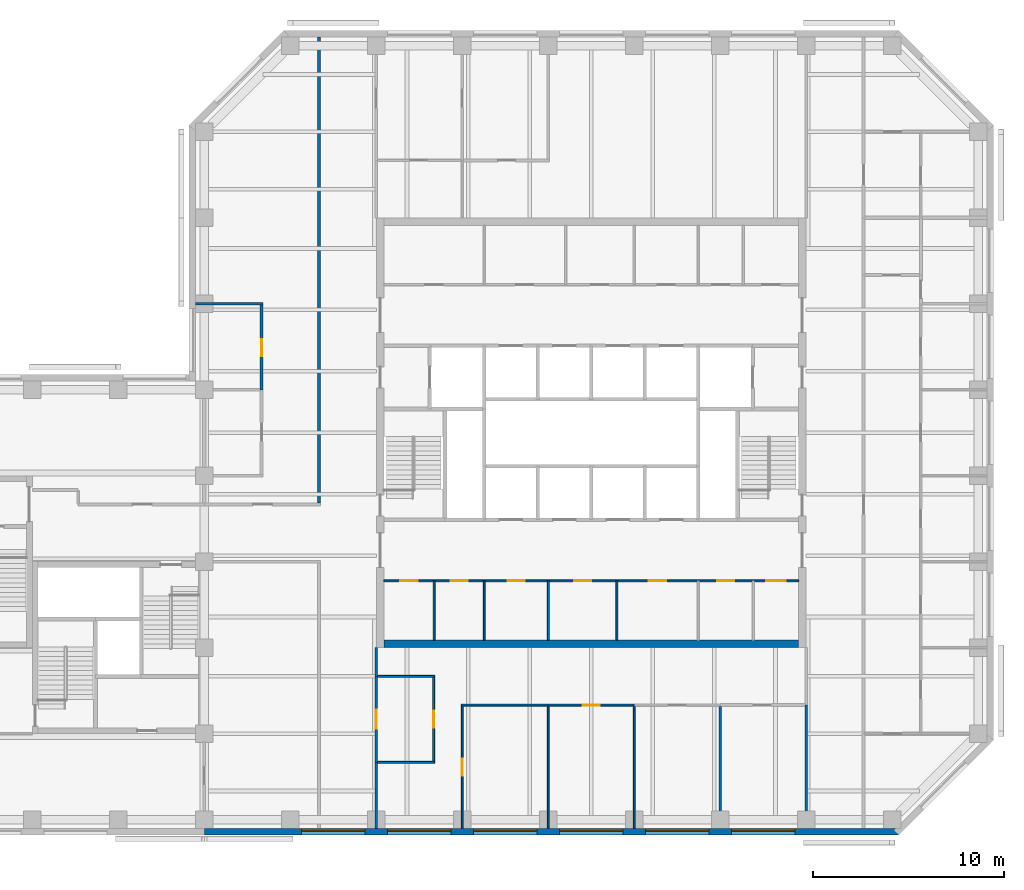
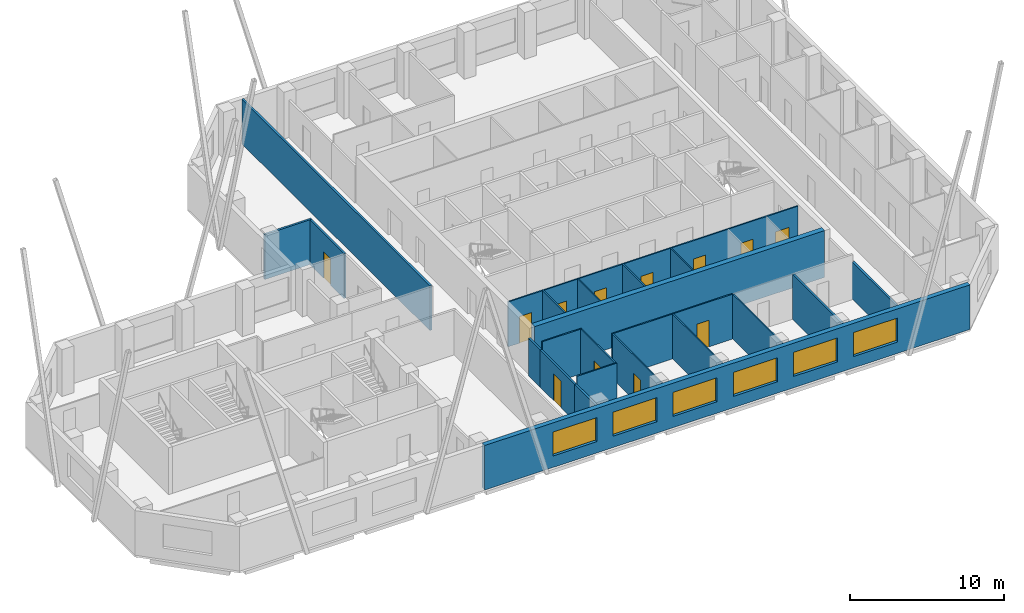
# One storey, part 4 of 9: 23 walls, 12 doors, 6 windows, 18 openings.
"""IFC4 building model written with IfcOpenShell, lengths in metres."""

from ifc_helpers import new_model, si_unit, direction, frame, frame_2d, origin, place, context, subcontext, project, spatial, rectangle, extrude, material, layer, layer_set, constituent, constituent_set, type_object, element, fill, save


model = new_model("IFC4")

# Units and contexts
model_context = context("Model", 3, precision=1e-05, world=origin(), true_north=direction((0.0, 1.0)))
body_context = subcontext(model_context, "Body", "Model", "MODEL_VIEW")
ifc_project = project(units=[si_unit("LENGTHUNIT", "METRE"), si_unit("AREAUNIT", "SQUARE_METRE"), si_unit("VOLUMEUNIT", "CUBIC_METRE"), si_unit("PLANEANGLEUNIT", "RADIAN"), si_unit("MASSUNIT", "GRAM", prefix="KILO")], contexts=[model_context])

# Site, building, storey
site_placement = place(None, origin())
site = spatial("IfcSite", under=ifc_project, at=site_placement, CompositionType="ELEMENT")
building_placement = place(site_placement, origin())
building = spatial("IfcBuilding", under=site, at=building_placement, Name="Quoin Convention Tower", CompositionType="ELEMENT")
storey_placement = place(building_placement, frame((0.0, 0.0, 203.199951171875)))
storey = spatial("IfcBuildingStorey", under=building, at=storey_placement, Name="L53", CompositionType="ELEMENT", Elevation=203.199951171875)

# Walls
ifc_material_1 = material(Name="Plasterboard")
ifc_layer_1 = layer(ifc_material_1, 0.012451171875, Name="Finish")
ifc_material_2 = material(Name="Steel stud framing", Category="steel")
ifc_layer_2 = layer(ifc_material_2, 0.125, Name="Structure")
ifc_layer_3 = layer(ifc_material_1, 0.012451171875, Name="Finish")
ifc_layer_set_1 = layer_set([ifc_layer_1, ifc_layer_2, ifc_layer_3], Name="Steel stud framing")
wall_type_1 = type_object("IfcWallType", Name="Acoustic partition 150", PredefinedType="PARTITIONING", material=ifc_layer_set_1)
wall_1_placement = place(storey_placement, frame((35.550048828125, 67.5, 0.0), z_axis=(0.0, 0.0, 1.0), x_axis=(1.0, 0.0, 0.0)))
element("IfcWall", 1, at=wall_1_placement, inside=storey, type_object=wall_type_1, Name="pw-L53-027", PredefinedType="PARTITIONING", context=body_context, shape_type="SweptSolid", body=[
    extrude(rectangle(XDim=3.52490234375, YDim=0.14990234375, at=frame_2d((1.762451171875, 0.0))), origin(), (0.0, 0.0, 1.0), 3.550048828125),
])
wall_2_placement = place(storey_placement, frame((63.0, 40.050048828125, 0.0), z_axis=(0.0, 0.0, 1.0), x_axis=(0.0, 1.0, 0.0)))
element("IfcWall", 2, at=wall_2_placement, inside=storey, type_object=wall_type_1, Name="pw-L53-043", PredefinedType="PARTITIONING", context=body_context, shape_type="SweptSolid", body=[
    extrude(rectangle(XDim=6.375, YDim=0.14990234375, at=frame_2d((3.1875, 0.0))), origin(), (0.0, 0.0, 1.0), 3.550048828125),
])

# Wall, opening, door
wall_3_placement = place(storey_placement, frame((39.0, 63.0, 0.0), z_axis=(0.0, 0.0, 1.0), x_axis=(0.0, 1.0, 0.0)))
wall_3 = element("IfcWall", 3, at=wall_3_placement, inside=storey, type_object=wall_type_1, Name="pw-L53-072", PredefinedType="PARTITIONING", context=body_context, shape_type="SweptSolid", body=[
    extrude(rectangle(XDim=4.425048828125, YDim=0.14990234375, at=frame_2d((2.21240234375, 0.0))), origin(), (0.0, 0.0, 1.0), 3.550048828125),
])
opening_1_placement = place(wall_3_placement, frame((1.75, 0.0, 0.0)))
opening_1 = element("IfcOpeningElement", 4, at=opening_1_placement, cuts=wall_3, Name="Opening DOH8-21", PredefinedType="OPENING", context=body_context, shape_type="SweptSolid", body=[
    extrude(rectangle(XDim=0.89990234375, YDim=2.10009765625, at=frame_2d((0.449951171875, 1.050048828125))), frame((0.0, 0.0849609375, 0.0), z_axis=(0.0, -1.0, 0.0), x_axis=(1.0, 0.0, 0.0)), (0.0, 0.0, 1.0), 0.169921875),
])
ifc_material_3 = material(Name="Steel door leaf", Category="steel")
door_type_1 = type_object("IfcDoorType", Name="Office door 900 x 2100", OperationType="SINGLE_SWING_RIGHT", PredefinedType="DOOR", material=ifc_material_3)
door_1_placement = place(opening_1_placement, frame((0.89990234375, 0.0, 0.0), z_axis=(0.0, 0.0, 1.0), x_axis=(-1.0, 0.0, 0.0)))
door_1 = element("IfcDoor", 5, at=door_1_placement, inside=storey, type_object=door_type_1, Name="dr-L53-13", OperationType="SINGLE_SWING_LEFT", OverallHeight=2.10009765625, OverallWidth=0.89990234375, PredefinedType="DOOR", context=body_context, shape_type="SweptSolid", body=[
    extrude(rectangle(XDim=0.89990234375, YDim=2.10009765625, at=frame_2d((0.449951171875, 1.050048828125))), frame((0.0, 0.02490234375, 0.0), z_axis=(0.0, -1.0, 0.0), x_axis=(1.0, 0.0, 0.0)), (0.0, 0.0, 1.0), 0.050048828125),
])
fill(opening_1, door_1)

# Wall, openings, windows
ifc_material_4 = material(Name="Brick masonry", Category="masonry")
ifc_layer_4 = layer(ifc_material_4, 0.35009765625)
ifc_layer_set_2 = layer_set([ifc_layer_4], Name="Brick masonry")
wall_type_2 = type_object("IfcWallType", Name="Brick facade wall", PredefinedType="STANDARD", material=ifc_layer_set_2)
wall_4_placement = place(storey_placement, frame((36.0, 39.875, 0.0), z_axis=(0.0, 0.0, 1.0), x_axis=(1.0, 0.0, 0.0)))
wall_4 = element("IfcWall", 6, at=wall_4_placement, inside=storey, type_object=wall_type_2, Name="fw-L53-36000_40500", PredefinedType="STANDARD", context=body_context, shape_type="SweptSolid", body=[
    extrude(rectangle(XDim=36.331298828125, YDim=0.35009765625, at=frame_2d((18.16552734375, 0.0))), origin(), (0.0, 0.0, 1.0), 3.525146484375),
])
opening_2_placement = place(wall_4_placement, frame((5.10009765625, 0.0, 0.89990234375)))
opening_2 = element("IfcOpeningElement", 7, at=opening_2_placement, cuts=wall_4, Name="Opening W-02", PredefinedType="OPENING", context=body_context, shape_type="SweptSolid", body=[
    extrude(rectangle(XDim=3.300048828125, YDim=1.89990234375, at=frame_2d((1.64990234375, 0.949951171875))), frame((0.0, 0.18505859375, 0.0), z_axis=(0.0, -1.0, 0.0), x_axis=(1.0, 0.0, 0.0)), (0.0, 0.0, 1.0), 0.3701171875),
])
opening_3_placement = place(wall_4_placement, frame((9.60009765625, 0.0, 0.89990234375)))
opening_3 = element("IfcOpeningElement", 8, at=opening_3_placement, cuts=wall_4, Name="Opening W-02", PredefinedType="OPENING", context=body_context, shape_type="SweptSolid", body=[
    extrude(rectangle(XDim=3.300048828125, YDim=1.89990234375, at=frame_2d((1.64990234375, 0.949951171875))), frame((0.0, 0.18505859375, 0.0), z_axis=(0.0, -1.0, 0.0), x_axis=(1.0, 0.0, 0.0)), (0.0, 0.0, 1.0), 0.3701171875),
])
opening_4_placement = place(wall_4_placement, frame((14.10009765625, 0.0, 0.89990234375)))
opening_4 = element("IfcOpeningElement", 9, at=opening_4_placement, cuts=wall_4, Name="Opening W-02", PredefinedType="OPENING", context=body_context, shape_type="SweptSolid", body=[
    extrude(rectangle(XDim=3.300048828125, YDim=1.89990234375, at=frame_2d((1.64990234375, 0.949951171875))), frame((0.0, 0.18505859375, 0.0), z_axis=(0.0, -1.0, 0.0), x_axis=(1.0, 0.0, 0.0)), (0.0, 0.0, 1.0), 0.3701171875),
])
opening_5_placement = place(wall_4_placement, frame((18.60009765625, 0.0, 0.89990234375)))
opening_5 = element("IfcOpeningElement", 10, at=opening_5_placement, cuts=wall_4, Name="Opening W-02", PredefinedType="OPENING", context=body_context, shape_type="SweptSolid", body=[
    extrude(rectangle(XDim=3.300048828125, YDim=1.89990234375, at=frame_2d((1.64990234375, 0.949951171875))), frame((0.0, 0.18505859375, 0.0), z_axis=(0.0, -1.0, 0.0), x_axis=(1.0, 0.0, 0.0)), (0.0, 0.0, 1.0), 0.3701171875),
])
opening_6_placement = place(wall_4_placement, frame((23.10009765625, 0.0, 0.89990234375)))
opening_6 = element("IfcOpeningElement", 11, at=opening_6_placement, cuts=wall_4, Name="Opening W-02", PredefinedType="OPENING", context=body_context, shape_type="SweptSolid", body=[
    extrude(rectangle(XDim=3.300048828125, YDim=1.89990234375, at=frame_2d((1.64990234375, 0.949951171875))), frame((0.0, 0.18505859375, 0.0), z_axis=(0.0, -1.0, 0.0), x_axis=(1.0, 0.0, 0.0)), (0.0, 0.0, 1.0), 0.3701171875),
])
opening_7_placement = place(wall_4_placement, frame((27.60009765625, 0.0, 0.89990234375)))
opening_7 = element("IfcOpeningElement", 12, at=opening_7_placement, cuts=wall_4, Name="Opening W-02", PredefinedType="OPENING", context=body_context, shape_type="SweptSolid", body=[
    extrude(rectangle(XDim=3.300048828125, YDim=1.89990234375, at=frame_2d((1.64990234375, 0.949951171875))), frame((0.0, 0.18505859375, 0.0), z_axis=(0.0, -1.0, 0.0), x_axis=(1.0, 0.0, 0.0)), (0.0, 0.0, 1.0), 0.3701171875),
])
ifc_material_5 = material(Name="Aluminium", Category="aluminium")
ifc_constituent_1 = constituent(ifc_material_5, Name="Frame")
ifc_material_6 = material(Name="Insulated glass", Category="glass")
ifc_constituent_2 = constituent(ifc_material_6, Name="Glazing")
ifc_constituent_set = constituent_set(constituents=[ifc_constituent_1, ifc_constituent_2], Name="Aluminium")
window_type = type_object("IfcWindowType", Name="Office window", PartitioningType="DOUBLE_PANEL_VERTICAL", PredefinedType="WINDOW", material=ifc_constituent_set)
window_1_placement = place(opening_2_placement, origin())
window_1 = element("IfcWindow", 13, at=window_1_placement, inside=storey, type_object=window_type, Name="win-L53-42750_39875", OverallHeight=1.89990234375, OverallWidth=3.300048828125, PartitioningType="SINGLE_PANEL", PredefinedType="WINDOW", context=body_context, shape_type="SweptSolid", body=[
    extrude(rectangle(XDim=3.300048828125, YDim=1.89990234375, at=frame_2d((1.64990234375, 0.949951171875))), frame((0.0, 0.0849609375, 0.0), z_axis=(0.0, -1.0, 0.0), x_axis=(1.0, 0.0, 0.0)), (0.0, 0.0, 1.0), 0.06005859375),
])
fill(opening_2, window_1)
window_2_placement = place(opening_3_placement, origin())
window_2 = element("IfcWindow", 14, at=window_2_placement, inside=storey, type_object=window_type, Name="win-L53-47250_39875", OverallHeight=1.89990234375, OverallWidth=3.300048828125, PartitioningType="SINGLE_PANEL", PredefinedType="WINDOW", context=body_context, shape_type="SweptSolid", body=[
    extrude(rectangle(XDim=3.300048828125, YDim=1.89990234375, at=frame_2d((1.64990234375, 0.949951171875))), frame((0.0, 0.0849609375, 0.0), z_axis=(0.0, -1.0, 0.0), x_axis=(1.0, 0.0, 0.0)), (0.0, 0.0, 1.0), 0.06005859375),
])
fill(opening_3, window_2)
window_3_placement = place(opening_4_placement, origin())
window_3 = element("IfcWindow", 15, at=window_3_placement, inside=storey, type_object=window_type, Name="win-L53-51750_39875", OverallHeight=1.89990234375, OverallWidth=3.300048828125, PartitioningType="SINGLE_PANEL", PredefinedType="WINDOW", context=body_context, shape_type="SweptSolid", body=[
    extrude(rectangle(XDim=3.300048828125, YDim=1.89990234375, at=frame_2d((1.64990234375, 0.949951171875))), frame((0.0, 0.0849609375, 0.0), z_axis=(0.0, -1.0, 0.0), x_axis=(1.0, 0.0, 0.0)), (0.0, 0.0, 1.0), 0.06005859375),
])
fill(opening_4, window_3)
window_4_placement = place(opening_5_placement, origin())
window_4 = element("IfcWindow", 16, at=window_4_placement, inside=storey, type_object=window_type, Name="win-L53-56250_39875", OverallHeight=1.89990234375, OverallWidth=3.300048828125, PartitioningType="SINGLE_PANEL", PredefinedType="WINDOW", context=body_context, shape_type="SweptSolid", body=[
    extrude(rectangle(XDim=3.300048828125, YDim=1.89990234375, at=frame_2d((1.64990234375, 0.949951171875))), frame((0.0, 0.0849609375, 0.0), z_axis=(0.0, -1.0, 0.0), x_axis=(1.0, 0.0, 0.0)), (0.0, 0.0, 1.0), 0.06005859375),
])
fill(opening_5, window_4)
window_5_placement = place(opening_6_placement, origin())
window_5 = element("IfcWindow", 17, at=window_5_placement, inside=storey, type_object=window_type, Name="win-L53-60750_39875", OverallHeight=1.89990234375, OverallWidth=3.300048828125, PartitioningType="SINGLE_PANEL", PredefinedType="WINDOW", context=body_context, shape_type="SweptSolid", body=[
    extrude(rectangle(XDim=3.300048828125, YDim=1.89990234375, at=frame_2d((1.64990234375, 0.949951171875))), frame((0.0, 0.0849609375, 0.0), z_axis=(0.0, -1.0, 0.0), x_axis=(1.0, 0.0, 0.0)), (0.0, 0.0, 1.0), 0.06005859375),
])
fill(opening_6, window_5)
window_6_placement = place(opening_7_placement, origin())
window_6 = element("IfcWindow", 18, at=window_6_placement, inside=storey, type_object=window_type, Name="win-L53-65250_39875", OverallHeight=1.89990234375, OverallWidth=3.300048828125, PartitioningType="SINGLE_PANEL", PredefinedType="WINDOW", context=body_context, shape_type="SweptSolid", body=[
    extrude(rectangle(XDim=3.300048828125, YDim=1.89990234375, at=frame_2d((1.64990234375, 0.949951171875))), frame((0.0, 0.0849609375, 0.0), z_axis=(0.0, -1.0, 0.0), x_axis=(1.0, 0.0, 0.0)), (0.0, 0.0, 1.0), 0.06005859375),
])
fill(opening_7, window_6)

# Wall, openings, doors
ifc_layer_5 = layer(ifc_material_1, 0.012451171875, Name="Finish")
ifc_layer_6 = layer(ifc_material_2, 0.074951171875, Name="Structure")
ifc_layer_7 = layer(ifc_material_1, 0.012451171875, Name="Finish")
ifc_layer_set_3 = layer_set([ifc_layer_5, ifc_layer_6, ifc_layer_7], Name="Steel stud framing")
wall_type_3 = type_object("IfcWallType", Name="Core partition wall", PredefinedType="PARTITIONING", material=ifc_layer_set_3)
wall_5_placement = place(storey_placement, frame((45.39990234375, 53.0, 0.0), z_axis=(0.0, 0.0, 1.0), x_axis=(1.0, 0.0, 0.0)))
wall_5 = element("IfcWall", 19, at=wall_5_placement, inside=storey, type_object=wall_type_3, Name="cr-C1-L53-h3500_400", PredefinedType="PARTITIONING", context=body_context, shape_type="SweptSolid", body=[
    extrude(rectangle(XDim=21.7001953125, YDim=0.10009765625, at=frame_2d((10.85009765625, 0.0))), origin(), (0.0, 0.0, 1.0), 3.550048828125),
])
opening_8_placement = place(wall_5_placement, frame((20.018798828125, 0.0, 0.0)))
opening_8 = element("IfcOpeningElement", 20, at=opening_8_placement, cuts=wall_5, Name="Opening DCV0-46", PredefinedType="OPENING", context=body_context, shape_type="SweptSolid", body=[
    extrude(rectangle(XDim=1.0, YDim=2.10009765625, at=frame_2d((0.5, 1.050048828125))), frame((0.0, 0.06005859375, 0.0), z_axis=(0.0, -1.0, 0.0), x_axis=(1.0, 0.0, 0.0)), (0.0, 0.0, 1.0), 0.1201171875),
])
opening_9_placement = place(wall_5_placement, frame((17.44384765625, 0.0, 0.0)))
opening_9 = element("IfcOpeningElement", 21, at=opening_9_placement, cuts=wall_5, Name="Opening DCV0-45", PredefinedType="OPENING", context=body_context, shape_type="SweptSolid", body=[
    extrude(rectangle(XDim=0.89990234375, YDim=2.10009765625, at=frame_2d((0.449951171875, 1.050048828125))), frame((0.0, 0.06005859375, 0.0), z_axis=(0.0, -1.0, 0.0), x_axis=(1.0, 0.0, 0.0)), (0.0, 0.0, 1.0), 0.1201171875),
])
opening_10_placement = place(wall_5_placement, frame((0.862548828125, 0.0, 0.0)))
opening_10 = element("IfcOpeningElement", 22, at=opening_10_placement, cuts=wall_5, Name="Opening DCV0-38", PredefinedType="OPENING", context=body_context, shape_type="SweptSolid", body=[
    extrude(rectangle(XDim=0.89990234375, YDim=2.10009765625, at=frame_2d((0.449951171875, 1.050048828125))), frame((0.0, 0.06005859375, 0.0), z_axis=(0.0, -1.0, 0.0), x_axis=(1.0, 0.0, 0.0)), (0.0, 0.0, 1.0), 0.1201171875),
])
opening_11_placement = place(wall_5_placement, frame((3.487548828125, 0.0, 0.0)))
opening_11 = element("IfcOpeningElement", 23, at=opening_11_placement, cuts=wall_5, Name="Opening DCV0-39", PredefinedType="OPENING", context=body_context, shape_type="SweptSolid", body=[
    extrude(rectangle(XDim=0.89990234375, YDim=2.10009765625, at=frame_2d((0.449951171875, 1.050048828125))), frame((0.0, 0.06005859375, 0.0), z_axis=(0.0, -1.0, 0.0), x_axis=(1.0, 0.0, 0.0)), (0.0, 0.0, 1.0), 0.1201171875),
])
opening_12_placement = place(wall_5_placement, frame((6.47998046875, 0.0, 0.0)))
opening_12 = element("IfcOpeningElement", 24, at=opening_12_placement, cuts=wall_5, Name="Opening DCV0-40", PredefinedType="OPENING", context=body_context, shape_type="SweptSolid", body=[
    extrude(rectangle(XDim=0.89990234375, YDim=2.10009765625, at=frame_2d((0.449951171875, 1.050048828125))), frame((0.0, 0.06005859375, 0.0), z_axis=(0.0, -1.0, 0.0), x_axis=(1.0, 0.0, 0.0)), (0.0, 0.0, 1.0), 0.1201171875),
])
opening_13_placement = place(wall_5_placement, frame((9.951904296875, 0.0, 0.0)))
opening_13 = element("IfcOpeningElement", 25, at=opening_13_placement, cuts=wall_5, Name="Opening DCV0-42", PredefinedType="OPENING", context=body_context, shape_type="SweptSolid", body=[
    extrude(rectangle(XDim=0.89990234375, YDim=2.10009765625, at=frame_2d((0.449951171875, 1.050048828125))), frame((0.0, 0.06005859375, 0.0), z_axis=(0.0, -1.0, 0.0), x_axis=(1.0, 0.0, 0.0)), (0.0, 0.0, 1.0), 0.1201171875),
])
opening_14_placement = place(wall_5_placement, frame((13.8720703125, 0.0, 0.0)))
opening_14 = element("IfcOpeningElement", 26, at=opening_14_placement, cuts=wall_5, Name="Opening DCV0-44", PredefinedType="OPENING", context=body_context, shape_type="SweptSolid", body=[
    extrude(rectangle(XDim=0.89990234375, YDim=2.10009765625, at=frame_2d((0.449951171875, 1.050048828125))), frame((0.0, 0.06005859375, 0.0), z_axis=(0.0, -1.0, 0.0), x_axis=(1.0, 0.0, 0.0)), (0.0, 0.0, 1.0), 0.1201171875),
])
door_type_2 = type_object("IfcDoorType", Name="Core room door 1000 x 2100", OperationType="SINGLE_SWING_LEFT", PredefinedType="DOOR", material=ifc_material_3)
door_2_placement = place(opening_8_placement, frame((1.0, 0.0, 0.0), z_axis=(0.0, 0.0, 1.0), x_axis=(-1.0, 0.0, 0.0)))
door_2 = element("IfcDoor", 27, at=door_2_placement, inside=storey, type_object=door_type_2, Name="cd-C1-L53-CSE0-lobA-CD5310", OperationType="SINGLE_SWING_LEFT", OverallHeight=2.10009765625, OverallWidth=1.0, PredefinedType="DOOR", context=body_context, shape_type="SweptSolid", body=[
    extrude(rectangle(XDim=1.0, YDim=2.10009765625, at=frame_2d((0.5, 1.050048828125))), frame((0.0, 0.02490234375, 0.0), z_axis=(0.0, -1.0, 0.0), x_axis=(1.0, 0.0, 0.0)), (0.0, 0.0, 1.0), 0.050048828125),
])
fill(opening_8, door_2)
door_type_3 = type_object("IfcDoorType", Name="Core room door 900 x 2100", OperationType="SINGLE_SWING_LEFT", PredefinedType="DOOR", material=ifc_material_3)
door_3_placement = place(opening_9_placement, frame((0.89990234375, 0.0, 0.0), z_axis=(0.0, 0.0, 1.0), x_axis=(-1.0, 0.0, 0.0)))
door_3 = element("IfcDoor", 28, at=door_3_placement, inside=storey, type_object=door_type_3, Name="cd-C1-L53-CSE1-lobA-CD5311", OperationType="SINGLE_SWING_LEFT", OverallHeight=2.10009765625, OverallWidth=0.89990234375, PredefinedType="DOOR", context=body_context, shape_type="SweptSolid", body=[
    extrude(rectangle(XDim=0.89990234375, YDim=2.10009765625, at=frame_2d((0.449951171875, 1.050048828125))), frame((0.0, 0.02490234375, 0.0), z_axis=(0.0, -1.0, 0.0), x_axis=(1.0, 0.0, 0.0)), (0.0, 0.0, 1.0), 0.050048828125),
])
fill(opening_9, door_3)
door_4_placement = place(opening_10_placement, frame((0.89990234375, 0.0, 0.0), z_axis=(0.0, 0.0, 1.0), x_axis=(-1.0, 0.0, 0.0)))
door_4 = element("IfcDoor", 29, at=door_4_placement, inside=storey, type_object=door_type_3, Name="cd-C1-L53-CSW0-lobA-CD5312", OperationType="SINGLE_SWING_LEFT", OverallHeight=2.10009765625, OverallWidth=0.89990234375, PredefinedType="DOOR", context=body_context, shape_type="SweptSolid", body=[
    extrude(rectangle(XDim=0.89990234375, YDim=2.10009765625, at=frame_2d((0.449951171875, 1.050048828125))), frame((0.0, 0.02490234375, 0.0), z_axis=(0.0, -1.0, 0.0), x_axis=(1.0, 0.0, 0.0)), (0.0, 0.0, 1.0), 0.050048828125),
])
fill(opening_10, door_4)
door_5_placement = place(opening_11_placement, frame((0.89990234375, 0.0, 0.0), z_axis=(0.0, 0.0, 1.0), x_axis=(-1.0, 0.0, 0.0)))
door_5 = element("IfcDoor", 30, at=door_5_placement, inside=storey, type_object=door_type_3, Name="cd-C1-L53-CSW1-lobA-CD5313", OperationType="SINGLE_SWING_LEFT", OverallHeight=2.10009765625, OverallWidth=0.89990234375, PredefinedType="DOOR", context=body_context, shape_type="SweptSolid", body=[
    extrude(rectangle(XDim=0.89990234375, YDim=2.10009765625, at=frame_2d((0.449951171875, 1.050048828125))), frame((0.0, 0.02490234375, 0.0), z_axis=(0.0, -1.0, 0.0), x_axis=(1.0, 0.0, 0.0)), (0.0, 0.0, 1.0), 0.050048828125),
])
fill(opening_11, door_5)
door_6_placement = place(opening_12_placement, frame((0.89990234375, 0.0, 0.0), z_axis=(0.0, 0.0, 1.0), x_axis=(-1.0, 0.0, 0.0)))
door_6 = element("IfcDoor", 31, at=door_6_placement, inside=storey, type_object=door_type_3, Name="cd-C1-L53-F10-lobA-CD5314", OperationType="SINGLE_SWING_LEFT", OverallHeight=2.10009765625, OverallWidth=0.89990234375, PredefinedType="DOOR", context=body_context, shape_type="SweptSolid", body=[
    extrude(rectangle(XDim=0.89990234375, YDim=2.10009765625, at=frame_2d((0.449951171875, 1.050048828125))), frame((0.0, 0.02490234375, 0.0), z_axis=(0.0, -1.0, 0.0), x_axis=(1.0, 0.0, 0.0)), (0.0, 0.0, 1.0), 0.050048828125),
])
fill(opening_12, door_6)
door_7_placement = place(opening_13_placement, frame((0.89990234375, 0.0, 0.0), z_axis=(0.0, 0.0, 1.0), x_axis=(-1.0, 0.0, 0.0)))
door_7 = element("IfcDoor", 32, at=door_7_placement, inside=storey, type_object=door_type_3, Name="cd-C1-L53-F11-lobA-CD5315", OperationType="SINGLE_SWING_LEFT", OverallHeight=2.10009765625, OverallWidth=0.89990234375, PredefinedType="DOOR", context=body_context, shape_type="SweptSolid", body=[
    extrude(rectangle(XDim=0.89990234375, YDim=2.10009765625, at=frame_2d((0.449951171875, 1.050048828125))), frame((0.0, 0.02490234375, 0.0), z_axis=(0.0, -1.0, 0.0), x_axis=(1.0, 0.0, 0.0)), (0.0, 0.0, 1.0), 0.050048828125),
])
fill(opening_13, door_7)
door_8_placement = place(opening_14_placement, frame((0.89990234375, 0.0, 0.0), z_axis=(0.0, 0.0, 1.0), x_axis=(-1.0, 0.0, 0.0)))
door_8 = element("IfcDoor", 33, at=door_8_placement, inside=storey, type_object=door_type_3, Name="cd-C1-L53-F12-lobA-CD5316", OperationType="SINGLE_SWING_LEFT", OverallHeight=2.10009765625, OverallWidth=0.89990234375, PredefinedType="DOOR", context=body_context, shape_type="SweptSolid", body=[
    extrude(rectangle(XDim=0.89990234375, YDim=2.10009765625, at=frame_2d((0.449951171875, 1.050048828125))), frame((0.0, 0.02490234375, 0.0), z_axis=(0.0, -1.0, 0.0), x_axis=(1.0, 0.0, 0.0)), (0.0, 0.0, 1.0), 0.050048828125),
])
fill(opening_14, door_8)

# Walls
for number, where, z_axis, x_axis, name in (
    (34, (48.02490234375, 49.89990234375, 0.0), (0.0, 0.0, 1.0), (0.0, 1.0, 0.0), "cr-C1-L53-v3025_400"),
    (35, (50.64990234375, 49.89990234375, 0.0), (0.0, 0.0, 1.0), (0.0, 1.0, 0.0), "cr-C1-L53-v5650_400"),
    (36, (54.010009765625, 49.89990234375, 0.0), (0.0, 0.0, 1.0), (0.0, 1.0, 0.0), "cr-C1-L53-v9010_400"),
    (37, (57.593994140625, 49.89990234375, 0.0), (0.0, 0.0, 1.0), (0.0, 1.0, 0.0), "cr-C1-L53-v12594_400"),
):
    element("IfcWall", number, at=place(storey_placement, frame(where, z_axis=z_axis, x_axis=x_axis)), inside=storey, type_object=wall_type_3, Name=name, PredefinedType="PARTITIONING", context=body_context, shape_type="SweptSolid", body=[
        extrude(rectangle(XDim=3.10009765625, YDim=0.10009765625, at=frame_2d((1.550048828125, 0.0))), origin(), (0.0, 0.0, 1.0), 3.550048828125),
    ])
ifc_layer_8 = layer(ifc_material_1, 0.012451171875, Name="Finish")
ifc_layer_9 = layer(ifc_material_2, 0.125, Name="Structure")
ifc_layer_10 = layer(ifc_material_1, 0.012451171875, Name="Finish")
ifc_layer_set_4 = layer_set([ifc_layer_8, ifc_layer_9, ifc_layer_10], Name="Steel stud framing")
wall_type_4 = type_object("IfcWallType", Name="Corridor wall 150", PredefinedType="PARTITIONING", material=ifc_layer_set_4)
wall_6_placement = place(storey_placement, frame((42.0, 57.074951171875, 0.0), z_axis=(0.0, 0.0, 1.0), x_axis=(0.0, 1.0, 0.0)))
element("IfcWall", 38, at=wall_6_placement, inside=storey, type_object=wall_type_4, Name="pw-L53-064", PredefinedType="PARTITIONING", context=body_context, shape_type="SweptSolid", body=[
    extrude(rectangle(XDim=24.375, YDim=0.14990234375, at=frame_2d((12.1875, 0.0))), origin(), (0.0, 0.0, 1.0), 3.550048828125),
])
ifc_layer_11 = layer(ifc_material_1, 0.012451171875, Name="Finish")
ifc_layer_12 = layer(ifc_material_2, 0.125, Name="Structure")
ifc_layer_13 = layer(ifc_material_1, 0.012451171875, Name="Finish")
ifc_layer_set_5 = layer_set([ifc_layer_11, ifc_layer_12, ifc_layer_13], Name="Steel stud framing")
wall_type_5 = type_object("IfcWallType", Name="Corridor wall 150 under beam 612", PredefinedType="PARTITIONING", material=ifc_layer_set_5)
wall_7_placement = place(storey_placement, frame((45.0, 40.050048828125, 0.0), z_axis=(0.0, 0.0, 1.0), x_axis=(0.0, 1.0, 0.0)))
element("IfcWall", 39, at=wall_7_placement, inside=storey, type_object=wall_type_5, Name="pw-L53-039", PredefinedType="PARTITIONING", context=body_context, shape_type="SweptSolid", body=[
    extrude(rectangle(XDim=3.449951171875, YDim=0.14990234375, at=frame_2d((1.72509765625, 0.0))), origin(), (0.0, 0.0, 1.0), 2.93798828125),
])
wall_8_placement = place(storey_placement, frame((67.5, 40.050048828125, 0.0), z_axis=(0.0, 0.0, 1.0), x_axis=(0.0, 1.0, 0.0)))
element("IfcWall", 40, at=wall_8_placement, inside=storey, type_object=wall_type_5, Name="pw-L53-044", PredefinedType="PARTITIONING", context=body_context, shape_type="SweptSolid", body=[
    extrude(rectangle(XDim=6.449951171875, YDim=0.14990234375, at=frame_2d((3.22509765625, 0.0))), origin(), (0.0, 0.0, 1.0), 2.93798828125),
])

# Wall, opening, door
wall_9_placement = place(storey_placement, frame((45.0, 43.5, 0.0), z_axis=(0.0, 0.0, 1.0), x_axis=(0.0, 1.0, 0.0)))
wall_9 = element("IfcWall", 41, at=wall_9_placement, inside=storey, type_object=wall_type_5, Name="pw-L53-048", PredefinedType="PARTITIONING", context=body_context, shape_type="SweptSolid", body=[
    extrude(rectangle(XDim=4.5, YDim=0.14990234375, at=frame_2d((2.25, 0.0))), origin(), (0.0, 0.0, 1.0), 2.93798828125),
])
opening_15_placement = place(wall_9_placement, frame((1.75, 0.0, 0.0)))
opening_15 = element("IfcOpeningElement", 42, at=opening_15_placement, cuts=wall_9, Name="Opening DOH8-13", PredefinedType="OPENING", context=body_context, shape_type="SweptSolid", body=[
    extrude(rectangle(XDim=1.0, YDim=2.10009765625, at=frame_2d((0.5, 1.050048828125))), frame((0.0, 0.0849609375, 0.0), z_axis=(0.0, -1.0, 0.0), x_axis=(1.0, 0.0, 0.0)), (0.0, 0.0, 1.0), 0.169921875),
])
door_type_4 = type_object("IfcDoorType", Name="Tenancy entrance door 1000 x 2100", OperationType="DOUBLE_DOOR_SINGLE_SWING", PredefinedType="DOOR", material=ifc_material_3)
door_9_placement = place(opening_15_placement, origin())
door_9 = element("IfcDoor", 43, at=door_9_placement, inside=storey, type_object=door_type_4, Name="dr-L53-18", OperationType="DOUBLE_DOOR_SINGLE_SWING", OverallHeight=2.10009765625, OverallWidth=1.0, PredefinedType="DOOR", context=body_context, shape_type="SweptSolid", body=[
    extrude(rectangle(XDim=1.0, YDim=2.10009765625, at=frame_2d((0.5, 1.050048828125))), frame((0.0, 0.02490234375, 0.0), z_axis=(0.0, -1.0, 0.0), x_axis=(1.0, 0.0, 0.0)), (0.0, 0.0, 1.0), 0.050048828125),
])
fill(opening_15, door_9)

# Walls
wall_10_placement = place(storey_placement, frame((45.0, 48.0, 0.0), z_axis=(0.0, 0.0, 1.0), x_axis=(0.0, 1.0, 0.0)))
element("IfcWall", 44, at=wall_10_placement, inside=storey, type_object=wall_type_5, Name="pw-L53-057", PredefinedType="PARTITIONING", context=body_context, shape_type="SweptSolid", body=[
    extrude(rectangle(XDim=1.5, YDim=0.14990234375, at=frame_2d((0.75, 0.0))), origin(), (0.0, 0.0, 1.0), 2.93798828125),
])
ifc_material_7 = material(Name="Concrete C50", Category="concrete")
ifc_layer_14 = layer(ifc_material_7, 0.39990234375)
ifc_layer_set_6 = layer_set([ifc_layer_14], Name="Concrete C50")
wall_type_6 = type_object("IfcWallType", Name="RC CORE WALL 400 C50", PredefinedType="SHEAR", material=ifc_layer_set_6)
wall_11_placement = place(storey_placement, frame((45.39990234375, 49.699951171875, 0.0), z_axis=(0.0, 0.0, 1.0), x_axis=(1.0, 0.0, 0.0)))
element("IfcWall", 45, at=wall_11_placement, inside=storey, type_object=wall_type_6, Name="cwl-C1-L53-S", PredefinedType="SHEAR", context=body_context, shape_type="SweptSolid", body=[
    extrude(rectangle(XDim=21.7001953125, YDim=0.39990234375, at=frame_2d((10.85009765625, 0.0))), origin(), (0.0, 0.0, 1.0), 3.699951171875),
])
ifc_layer_15 = layer(ifc_material_1, 0.012451171875, Name="Finish")
ifc_layer_16 = layer(ifc_material_2, 0.074951171875, Name="Structure")
ifc_layer_17 = layer(ifc_material_1, 0.012451171875, Name="Finish")
ifc_layer_set_7 = layer_set([ifc_layer_15, ifc_layer_16, ifc_layer_17], Name="Steel stud framing")
wall_type_7 = type_object("IfcWallType", Name="Stud partition 100", PredefinedType="PARTITIONING", material=ifc_layer_set_7)
wall_12_placement = place(storey_placement, frame((45.074951171875, 43.5, 0.0), z_axis=(0.0, 0.0, 1.0), x_axis=(1.0, 0.0, 0.0)))
element("IfcWall", 46, at=wall_12_placement, inside=storey, type_object=wall_type_7, Name="pw-L53-002", PredefinedType="PARTITIONING", context=body_context, shape_type="SweptSolid", body=[
    extrude(rectangle(XDim=2.97509765625, YDim=0.10009765625, at=frame_2d((1.487548828125, 0.0))), origin(), (0.0, 0.0, 1.0), 3.550048828125),
])
wall_13_placement = place(storey_placement, frame((49.449951171875, 46.5, 0.0), z_axis=(0.0, 0.0, 1.0), x_axis=(1.0, 0.0, 0.0)))
element("IfcWall", 47, at=wall_13_placement, inside=storey, type_object=wall_type_7, Name="pw-L53-008", PredefinedType="PARTITIONING", context=body_context, shape_type="SweptSolid", body=[
    extrude(rectangle(XDim=4.550048828125, YDim=0.10009765625, at=frame_2d((2.27490234375, 0.0))), origin(), (0.0, 0.0, 1.0), 3.550048828125),
])

# Wall, opening, door
wall_14_placement = place(storey_placement, frame((54.0, 46.5, 0.0), z_axis=(0.0, 0.0, 1.0), x_axis=(1.0, 0.0, 0.0)))
wall_14 = element("IfcWall", 48, at=wall_14_placement, inside=storey, type_object=wall_type_7, Name="pw-L53-009", PredefinedType="PARTITIONING", context=body_context, shape_type="SweptSolid", body=[
    extrude(rectangle(XDim=4.5, YDim=0.10009765625, at=frame_2d((2.25, 0.0))), origin(), (0.0, 0.0, 1.0), 3.550048828125),
])
opening_16_placement = place(wall_14_placement, frame((1.800048828125, 0.0, 0.0)))
opening_16 = element("IfcOpeningElement", 49, at=opening_16_placement, cuts=wall_14, Name="Opening DOH8-02", PredefinedType="OPENING", context=body_context, shape_type="SweptSolid", body=[
    extrude(rectangle(XDim=0.89990234375, YDim=2.10009765625, at=frame_2d((0.449951171875, 1.050048828125))), frame((0.0, 0.06005859375, 0.0), z_axis=(0.0, -1.0, 0.0), x_axis=(1.0, 0.0, 0.0)), (0.0, 0.0, 1.0), 0.1201171875),
])
door_10_placement = place(opening_16_placement, origin())
door_10 = element("IfcDoor", 50, at=door_10_placement, inside=storey, type_object=door_type_1, Name="dr-L53-21", OperationType="SINGLE_SWING_RIGHT", OverallHeight=2.10009765625, OverallWidth=0.89990234375, PredefinedType="DOOR", context=body_context, shape_type="SweptSolid", body=[
    extrude(rectangle(XDim=0.89990234375, YDim=2.10009765625, at=frame_2d((0.449951171875, 1.050048828125))), frame((0.0, 0.02490234375, 0.0), z_axis=(0.0, -1.0, 0.0), x_axis=(1.0, 0.0, 0.0)), (0.0, 0.0, 1.0), 0.050048828125),
])
fill(opening_16, door_10)

# Wall
wall_15_placement = place(storey_placement, frame((45.074951171875, 48.0, 0.0), z_axis=(0.0, 0.0, 1.0), x_axis=(1.0, 0.0, 0.0)))
element("IfcWall", 51, at=wall_15_placement, inside=storey, type_object=wall_type_7, Name="pw-L53-012", PredefinedType="PARTITIONING", context=body_context, shape_type="SweptSolid", body=[
    extrude(rectangle(XDim=2.97509765625, YDim=0.10009765625, at=frame_2d((1.487548828125, 0.0))), origin(), (0.0, 0.0, 1.0), 3.550048828125),
])

# Wall, opening, door
wall_16_placement = place(storey_placement, frame((49.5, 40.050048828125, 0.0), z_axis=(0.0, 0.0, 1.0), x_axis=(0.0, 1.0, 0.0)))
wall_16 = element("IfcWall", 52, at=wall_16_placement, inside=storey, type_object=wall_type_7, Name="pw-L53-040", PredefinedType="PARTITIONING", context=body_context, shape_type="SweptSolid", body=[
    extrude(rectangle(XDim=6.39990234375, YDim=0.10009765625, at=frame_2d((3.199951171875, 0.0))), origin(), (0.0, 0.0, 1.0), 3.550048828125),
])
opening_17_placement = place(wall_16_placement, frame((2.75, 0.0, 0.0)))
opening_17 = element("IfcOpeningElement", 53, at=opening_17_placement, cuts=wall_16, Name="Opening DOH8-11", PredefinedType="OPENING", context=body_context, shape_type="SweptSolid", body=[
    extrude(rectangle(XDim=0.89990234375, YDim=2.10009765625, at=frame_2d((0.449951171875, 1.050048828125))), frame((0.0, 0.06005859375, 0.0), z_axis=(0.0, -1.0, 0.0), x_axis=(1.0, 0.0, 0.0)), (0.0, 0.0, 1.0), 0.1201171875),
])
door_11_placement = place(opening_17_placement, origin())
door_11 = element("IfcDoor", 54, at=door_11_placement, inside=storey, type_object=door_type_1, Name="dr-L53-20", OperationType="SINGLE_SWING_RIGHT", OverallHeight=2.10009765625, OverallWidth=0.89990234375, PredefinedType="DOOR", context=body_context, shape_type="SweptSolid", body=[
    extrude(rectangle(XDim=0.89990234375, YDim=2.10009765625, at=frame_2d((0.449951171875, 1.050048828125))), frame((0.0, 0.02490234375, 0.0), z_axis=(0.0, -1.0, 0.0), x_axis=(1.0, 0.0, 0.0)), (0.0, 0.0, 1.0), 0.050048828125),
])
fill(opening_17, door_11)

# Walls
for number, where, z_axis, x_axis, name in (
    (55, (54.0, 40.050048828125, 0.0), (0.0, 0.0, 1.0), (0.0, 1.0, 0.0), "pw-L53-041"),
    (56, (58.5, 40.050048828125, 0.0), (0.0, 0.0, 1.0), (0.0, 1.0, 0.0), "pw-L53-042"),
):
    element("IfcWall", number, at=place(storey_placement, frame(where, z_axis=z_axis, x_axis=x_axis)), inside=storey, type_object=wall_type_7, Name=name, PredefinedType="PARTITIONING", context=body_context, shape_type="SweptSolid", body=[
        extrude(rectangle(XDim=6.39990234375, YDim=0.10009765625, at=frame_2d((3.199951171875, 0.0))), origin(), (0.0, 0.0, 1.0), 3.550048828125),
    ])

# Wall, opening, door
wall_17_placement = place(storey_placement, frame((48.0, 43.550048828125, 0.0), z_axis=(0.0, 0.0, 1.0), x_axis=(0.0, 1.0, 0.0)))
wall_17 = element("IfcWall", 57, at=wall_17_placement, inside=storey, type_object=wall_type_7, Name="pw-L53-049", PredefinedType="PARTITIONING", context=body_context, shape_type="SweptSolid", body=[
    extrude(rectangle(XDim=4.39990234375, YDim=0.10009765625, at=frame_2d((2.199951171875, 0.0))), origin(), (0.0, 0.0, 1.0), 3.550048828125),
])
opening_18_placement = place(wall_17_placement, frame((1.75, 0.0, 0.0)))
opening_18 = element("IfcOpeningElement", 58, at=opening_18_placement, cuts=wall_17, Name="Opening DOH8-14", PredefinedType="OPENING", context=body_context, shape_type="SweptSolid", body=[
    extrude(rectangle(XDim=0.89990234375, YDim=2.10009765625, at=frame_2d((0.449951171875, 1.050048828125))), frame((0.0, 0.06005859375, 0.0), z_axis=(0.0, -1.0, 0.0), x_axis=(1.0, 0.0, 0.0)), (0.0, 0.0, 1.0), 0.1201171875),
])
door_12_placement = place(opening_18_placement, frame((0.89990234375, 0.0, 0.0), z_axis=(0.0, 0.0, 1.0), x_axis=(-1.0, 0.0, 0.0)))
door_12 = element("IfcDoor", 59, at=door_12_placement, inside=storey, type_object=door_type_1, Name="dr-L53-19", OperationType="SINGLE_SWING_LEFT", OverallHeight=2.10009765625, OverallWidth=0.89990234375, PredefinedType="DOOR", context=body_context, shape_type="SweptSolid", body=[
    extrude(rectangle(XDim=0.89990234375, YDim=2.10009765625, at=frame_2d((0.449951171875, 1.050048828125))), frame((0.0, 0.02490234375, 0.0), z_axis=(0.0, -1.0, 0.0), x_axis=(1.0, 0.0, 0.0)), (0.0, 0.0, 1.0), 0.050048828125),
])
fill(opening_18, door_12)

save(model, "model.ifc")
